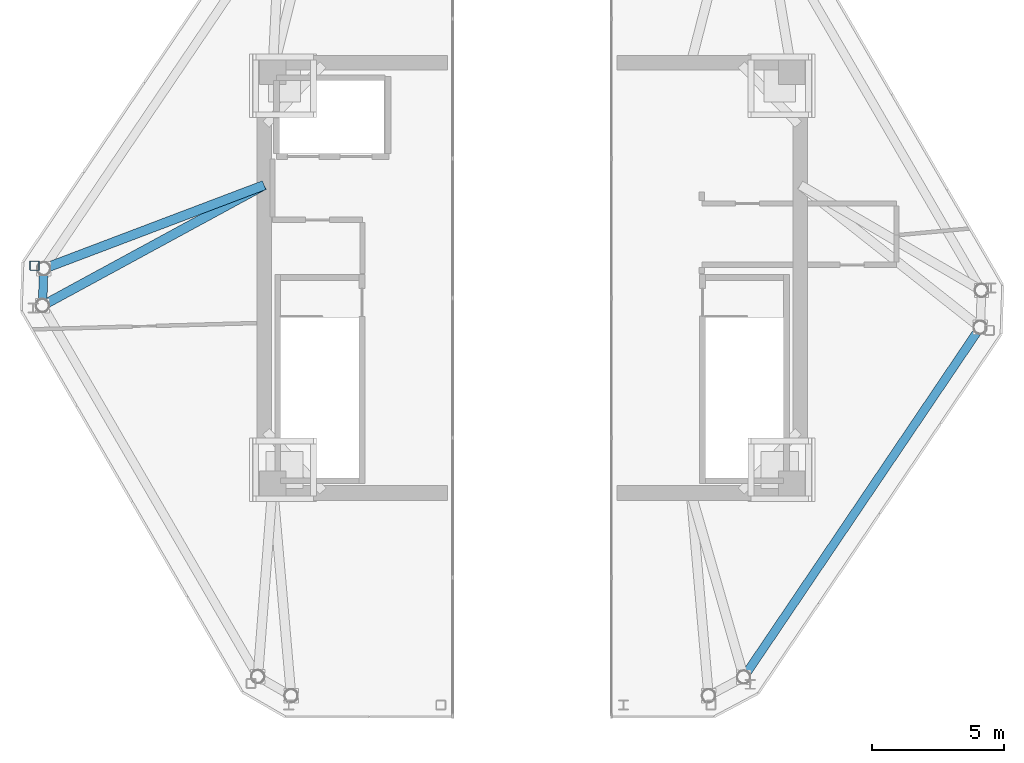
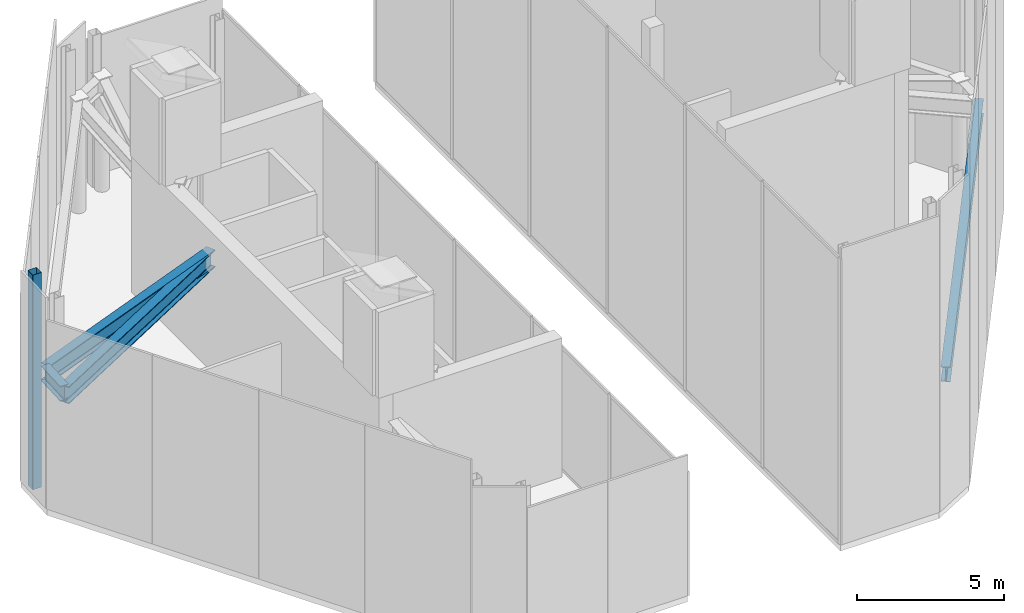
# One storey, part 3 of 9: 4 beams, 1 member.
"""IFC4 building model written with IfcOpenShell, lengths in metres."""

from ifc_helpers import new_model, si_unit, direction, frame, origin, origin_2d, place, context, subcontext, project, spatial, hollow_rectangle, i_section, extrude, source, transform, mapped, material, material_profile, profile_set, type_object, type_shapes, element, save


model = new_model("IFC4")

# Units and contexts
model_context = context("Model", 3, precision=1e-05, world=origin(), true_north=direction((0.0, 1.0)))
body_context = subcontext(model_context, "Body", "Model", "MODEL_VIEW")
ifc_project = project(units=[si_unit("LENGTHUNIT", "METRE"), si_unit("AREAUNIT", "SQUARE_METRE"), si_unit("VOLUMEUNIT", "CUBIC_METRE"), si_unit("PLANEANGLEUNIT", "RADIAN"), si_unit("MASSUNIT", "GRAM", prefix="KILO")], contexts=[model_context])

# Site, building, storey
site_placement = place(None, origin())
site = spatial("IfcSite", under=ifc_project, at=site_placement, CompositionType="ELEMENT")
building_placement = place(site_placement, origin())
building = spatial("IfcBuilding", under=site, at=building_placement, Name="Durnholm Broadcast Tower", CompositionType="ELEMENT")
storey_placement = place(building_placement, frame((0.0, 0.0, 287.0)))
storey = spatial("IfcBuildingStorey", under=building, at=storey_placement, Name="L79", CompositionType="ELEMENT", Elevation=287.0)

# Beams
ifc_material_1 = material(Name="Steel ASTM A992 Grade 50", Category="steel")
ifc_material_profile_1 = material_profile(ifc_material_1, i_section(OverallWidth=0.3251953125, OverallDepth=0.6162109375, WebThickness=0.013916015625, FlangeThickness=0.021484375, FilletRadius=0.02783203125, at=origin_2d()), Name="W24X117")
ifc_profile_set_1 = profile_set([ifc_material_profile_1], Name="Steel ASTM A992 Grade 50")
beam_type_1 = type_object("IfcBeamType", Name="STL-SP-W24X117", PredefinedType="SPANDREL", material=ifc_profile_set_1)
shared_shape_1 = source(origin(), body_context, "Body", "SweptSolid", [
    extrude(i_section(OverallWidth=0.3251953125, OverallDepth=0.6162109375, WebThickness=0.013916015625, FlangeThickness=0.021484375, FilletRadius=0.02783203125, at=origin_2d()), origin(), (0.0, 0.0, 1.0), 1.39453125),
])
beam_1_placement = place(storey_placement, frame((-18.494384765625, -1.0478515625, 4.39697265625), z_axis=(0.034486393061, 0.999405167434, 0.0), x_axis=(-0.999405167434, 0.034486393061, 0.0)))
element("IfcBeam", 1, at=beam_1_placement, inside=storey, type_object=beam_type_1, Name="L79 perimeter spandrel girder 02", PredefinedType="SPANDREL", context=body_context, shape_type="MappedRepresentation", body=[
    mapped(shared_shape_1, transform((0.0, 0.0, 0.0), x_axis=(1.0, 0.0, 0.0), y_axis=(0.0, 1.0, 0.0), z_axis=(0.0, 0.0, 1.0), scale=1.0)),
])
shared_shape_2 = source(origin(), body_context, "Body", "SweptSolid", [
    extrude(i_section(OverallWidth=0.3251953125, OverallDepth=0.6162109375, WebThickness=0.013916015625, FlangeThickness=0.021484375, FilletRadius=0.02783203125, at=origin_2d()), origin(), (0.0, 0.0, 1.0), 15.947265625),
])
type_shapes(beam_type_1, [shared_shape_1, shared_shape_2])
beam_2_placement = place(storey_placement, frame((16.92236328125, -1.869873046875, 4.39697265625), z_axis=(-0.560062212489, -0.828450552623, 0.0), x_axis=(0.828450552623, -0.560062212489, 0.0)))
element("IfcBeam", 2, at=beam_2_placement, inside=storey, type_object=beam_type_1, Name="L79 perimeter spandrel girder 09", PredefinedType="SPANDREL", context=body_context, shape_type="MappedRepresentation", body=[
    mapped(shared_shape_2, transform((0.0, 0.0, 0.0), x_axis=(1.0, 0.0, 0.0), y_axis=(0.0, 1.0, 0.0), z_axis=(0.0, 0.0, 1.0), scale=1.0)),
])
ifc_material_profile_2 = material_profile(ifc_material_1, i_section(OverallWidth=0.3564453125, OverallDepth=0.713623046875, WebThickness=0.01904296875, FlangeThickness=0.033935546875, FilletRadius=0.030517578125, at=origin_2d()), Name="W27X194")
ifc_profile_set_2 = profile_set([ifc_material_profile_2], Name="Steel ASTM A992 Grade 50")
beam_type_2 = type_object("IfcBeamType", Name="STL-GR-W27X194", PredefinedType="USERDEFINED", material=ifc_profile_set_2)
shared_shape_3 = source(origin(), body_context, "Body", "SweptSolid", [
    extrude(i_section(OverallWidth=0.3564453125, OverallDepth=0.713623046875, WebThickness=0.01904296875, FlangeThickness=0.033935546875, FilletRadius=0.030517578125, at=origin_2d()), origin(), (0.0, 0.0, 1.0), 9.525146484375),
])
beam_3_placement = place(storey_placement, frame((-10.125, 3.5, 4.34814453125), z_axis=(-0.878656534666, -0.477454389538, 0.0), x_axis=(0.477454389538, -0.878656534666, 0.0)))
element("IfcBeam", 3, at=beam_3_placement, inside=storey, type_object=beam_type_2, Name="L79 radial primary floor girder 02", ObjectType="GIRDER", PredefinedType="USERDEFINED", context=body_context, shape_type="MappedRepresentation", body=[
    mapped(shared_shape_3, transform((0.0, 0.0, 0.0), x_axis=(1.0, 0.0, 0.0), y_axis=(0.0, 1.0, 0.0), z_axis=(0.0, 0.0, 1.0), scale=1.0)),
])
shared_shape_4 = source(origin(), body_context, "Body", "SweptSolid", [
    extrude(i_section(OverallWidth=0.3564453125, OverallDepth=0.713623046875, WebThickness=0.01904296875, FlangeThickness=0.033935546875, FilletRadius=0.030517578125, at=origin_2d()), origin(), (0.0, 0.0, 1.0), 8.89892578125),
])
type_shapes(beam_type_2, [shared_shape_3, shared_shape_4])
beam_4_placement = place(storey_placement, frame((-10.125, 3.5, 4.34814453125), z_axis=(-0.935083139703, -0.354428443898, 0.0), x_axis=(0.354428443898, -0.935083139703, 0.0)))
element("IfcBeam", 4, at=beam_4_placement, inside=storey, type_object=beam_type_2, Name="L79 radial primary floor girder 03", ObjectType="GIRDER", PredefinedType="USERDEFINED", context=body_context, shape_type="MappedRepresentation", body=[
    mapped(shared_shape_4, transform((0.0, 0.0, 0.0), x_axis=(1.0, 0.0, 0.0), y_axis=(0.0, 1.0, 0.0), z_axis=(0.0, 0.0, 1.0), scale=1.0)),
])

# Member
ifc_material_2 = material(Name="Steel ASTM A500 Grade C", Category="steel")
ifc_material_profile_3 = material_profile(ifc_material_2, hollow_rectangle(XDim=0.355712890625, YDim=0.355712890625, WallThickness=0.01171875, InnerFilletRadius=0.017578125, OuterFilletRadius=0.029541015625, at=origin_2d()), Name="HSS14X14X1/2")
ifc_profile_set_3 = profile_set([ifc_material_profile_3], Name="Steel ASTM A500 Grade C")
member_type = type_object("IfcMemberType", Name="STL-CF-HSS14X14", PredefinedType="USERDEFINED", material=ifc_profile_set_3)
shared_shape_5 = source(origin(), body_context, "Body", "SweptSolid", [
    extrude(hollow_rectangle(XDim=0.355712890625, YDim=0.355712890625, WallThickness=0.01171875, InnerFilletRadius=0.017578125, OuterFilletRadius=0.029541015625, at=origin_2d()), origin(), (0.0, 0.0, 1.0), 8.9072265625),
])
type_shapes(member_type, [shared_shape_5])
member_placement = place(storey_placement, frame((-18.792724609375, 0.45849609375, -0.280029296875), z_axis=(0.0, 0.0, 1.0), x_axis=(1.0, 0.0, 0.0)))
element("IfcMember", 5, at=member_placement, inside=storey, type_object=member_type, Name="L79 W split-crown frame post 7", ObjectType="CROWN FRAME", PredefinedType="USERDEFINED", context=body_context, shape_type="MappedRepresentation", body=[
    mapped(shared_shape_5, transform((0.0, 0.0, 0.0), x_axis=(1.0, 0.0, 0.0), y_axis=(0.0, 1.0, 0.0), z_axis=(0.0, 0.0, 1.0), scale=1.0)),
])

save(model, "model.ifc")
